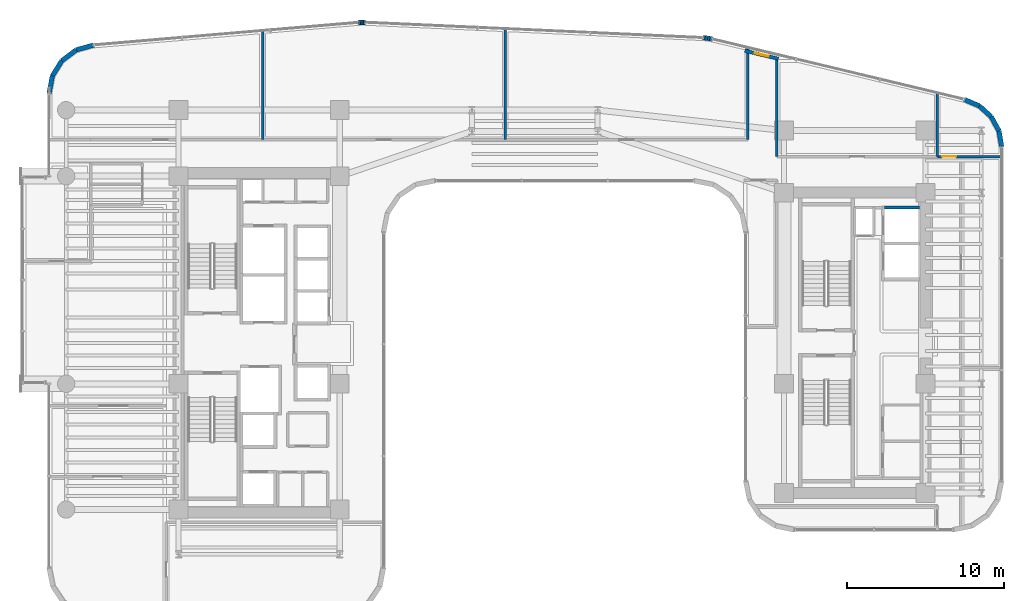
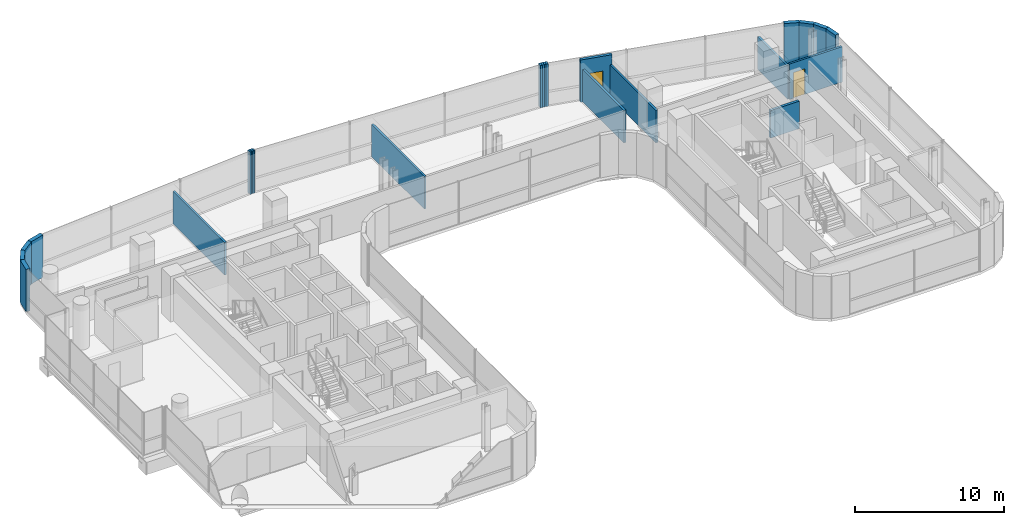
# One storey, part 29 of 34: 24 walls, 1 door, 1 window, 2 openings.
"""IFC4 building model written with IfcOpenShell, lengths in metres."""

from ifc_helpers import new_model, si_unit, direction, frame, frame_2d, origin, place, context, subcontext, project, spatial, rectangle, extrude, material, layer, layer_set, type_object, element, fill, save


model = new_model("IFC4")

# Units and contexts
model_context = context("Model", 3, precision=1e-05, world=origin(), true_north=direction((0.0, 1.0)))
body_context = subcontext(model_context, "Body", "Model", "MODEL_VIEW")
ifc_project = project(units=[si_unit("LENGTHUNIT", "METRE"), si_unit("AREAUNIT", "SQUARE_METRE"), si_unit("VOLUMEUNIT", "CUBIC_METRE"), si_unit("PLANEANGLEUNIT", "RADIAN"), si_unit("MASSUNIT", "GRAM", prefix="KILO")], contexts=[model_context])

# Site, building, storey
site_placement = place(None, origin())
site = spatial("IfcSite", under=ifc_project, at=site_placement, CompositionType="ELEMENT")
building_placement = place(site_placement, origin())
building = spatial("IfcBuilding", under=site, at=building_placement, Name="Valdorenza Pilgrim Sanctuary Tower", CompositionType="ELEMENT")
storey_placement = place(building_placement, frame((0.0, 0.0, 146.39990234375)))
storey = spatial("IfcBuildingStorey", under=building, at=storey_placement, Name="L37", CompositionType="ELEMENT", Elevation=146.39990234375)

# Walls
ifc_material_1 = material(Name="Acoustic twin-stud gypsum partition", Category="gypsum")
ifc_layer_1 = layer(ifc_material_1, 0.159912109375, Name="Acoustic twin-stud gypsum partition")
ifc_layer_set_1 = layer_set([ifc_layer_1], Name="Acoustic twin-stud gypsum partition")
wall_type_1 = type_object("IfcWallType", Name="WAL-COR-160", PredefinedType="PARTITIONING", material=ifc_layer_set_1)
wall_1_placement = place(storey_placement, frame((13.550048828125, 12.919921875, 0.0), z_axis=(0.0, 0.0, 1.0), x_axis=(0.0, 1.0, 0.0)))
element("IfcWall", 1, at=wall_1_placement, inside=storey, type_object=wall_type_1, Name="L37 North Band East Closure", PredefinedType="PARTITIONING", context=body_context, shape_type="SweptSolid", body=[
    extrude(rectangle(XDim=5.856689453125, YDim=0.159912109375, at=frame_2d((2.92822265625, 0.0))), origin(), (0.0, 0.0, 1.0), 2.666015625),
])
wall_2_placement = place(storey_placement, frame((15.39990234375, 11.85009765625, 0.0), z_axis=(0.0, 0.0, 1.0), x_axis=(0.0, 1.0, 0.0)))
element("IfcWall", 2, at=wall_2_placement, inside=storey, type_object=wall_type_1, Name="L37 Wing B North West Wall", PredefinedType="PARTITIONING", context=body_context, shape_type="SweptSolid", body=[
    extrude(rectangle(XDim=6.14990234375, YDim=0.159912109375, at=frame_2d((3.074951171875, 0.0))), origin(), (0.0, 0.0, 1.0), 2.666015625),
])
wall_3_placement = place(storey_placement, frame((25.60009765625, 11.85009765625, 0.0), z_axis=(0.0, 0.0, 1.0), x_axis=(0.0, 1.0, 0.0)))
element("IfcWall", 3, at=wall_3_placement, inside=storey, type_object=wall_type_1, Name="L37 Wing B North East Wall", PredefinedType="PARTITIONING", context=body_context, shape_type="SweptSolid", body=[
    extrude(rectangle(XDim=4.042236328125, YDim=0.159912109375, at=frame_2d((2.02099609375, 0.0))), origin(), (0.0, 0.0, 1.0), 2.666015625),
])

# Wall, opening, door
wall_4_placement = place(storey_placement, frame((25.60009765625, 11.85009765625, 0.0), z_axis=(0.0, 0.0, 1.0), x_axis=(1.0, 0.0, 0.0)))
wall_4 = element("IfcWall", 4, at=wall_4_placement, inside=storey, type_object=wall_type_1, Name="L37 East Wing NE Corner South Wall", PredefinedType="PARTITIONING", context=body_context, shape_type="SweptSolid", body=[
    extrude(rectangle(XDim=4.08984375, YDim=0.159912109375, at=frame_2d((2.044921875, 0.0))), origin(), (0.0, 0.0, 1.0), 2.89599609375),
])
opening_1_placement = place(wall_4_placement, frame((0.300048828125, 0.0, 0.0)))
opening_1 = element("IfcOpeningElement", 5, at=opening_1_placement, cuts=wall_4, Name="Opening DR-RM1", PredefinedType="OPENING", context=body_context, shape_type="SweptSolid", body=[
    extrude(rectangle(XDim=0.89990234375, YDim=2.10009765625, at=frame_2d((0.449951171875, 1.050048828125))), frame((0.0, 0.0947265625, 0.0), z_axis=(0.0, -1.0, 0.0), x_axis=(1.0, 0.0, 0.0)), (0.0, 0.0, 1.0), 0.189697265625),
])
ifc_material_2 = material(Name="Solid-core European oak timber", Category="wood")
door_type = type_object("IfcDoorType", Name="DR-ROOM-900", OperationType="NOTDEFINED", PredefinedType="DOOR", material=ifc_material_2)
door_placement = place(opening_1_placement, origin())
door = element("IfcDoor", 6, at=door_placement, inside=storey, type_object=door_type, Name="L37 East North Alcove Office L37 Door", OperationType="SINGLE_SWING_RIGHT", OverallHeight=2.10009765625, OverallWidth=0.89990234375, PredefinedType="DOOR", context=body_context, shape_type="SweptSolid", body=[
    extrude(rectangle(XDim=0.89990234375, YDim=2.10009765625, at=frame_2d((0.449951171875, 1.050048828125))), frame((0.0, 0.02490234375, 0.0), z_axis=(0.0, -1.0, 0.0), x_axis=(1.0, 0.0, 0.0)), (0.0, 0.0, 1.0), 0.050048828125),
])
fill(opening_1, door)

# Walls
ifc_material_3 = material(Name="Honed travertine limestone", Category="masonry")
ifc_layer_2 = layer(ifc_material_3, 0.300048828125, Name="Honed travertine limestone")
ifc_layer_set_2 = layer_set([ifc_layer_2], Name="Honed travertine limestone")
wall_type_2 = type_object("IfcWallType", Name="WAL-EXT-300", PredefinedType="SOLIDWALL", material=ifc_layer_set_2)
wall_5_placement = place(storey_placement, frame((-30.889892578125, 15.850341796875, 0.0), z_axis=(0.0, 0.0, 1.0), x_axis=(0.184557499391, 0.982821718023, 0.0)))
element("IfcWall", 7, at=wall_5_placement, inside=storey, type_object=wall_type_2, Name="L37 Rounded Wind-Corner Stone Pier 2", PredefinedType="SOLIDWALL", context=body_context, shape_type="SweptSolid", body=[
    extrude(rectangle(XDim=1.15087890625, YDim=0.300048828125, at=frame_2d((0.575439453125, 0.0))), origin(), (0.0, 0.0, 1.0), 3.460205078125),
])
wall_6_placement = place(storey_placement, frame((-30.677490234375, 16.9814453125, 0.0), z_axis=(0.0, 0.0, 1.0), x_axis=(0.52880576008, 0.848742875143, 0.0)))
element("IfcWall", 8, at=wall_6_placement, inside=storey, type_object=wall_type_2, Name="L37 Rounded Wind-Corner Stone Pier 3", PredefinedType="SOLIDWALL", context=body_context, shape_type="SweptSolid", body=[
    extrude(rectangle(XDim=1.140869140625, YDim=0.300048828125, at=frame_2d((0.5703125, 0.0))), origin(), (0.0, 0.0, 1.0), 3.460205078125),
])
wall_7_placement = place(storey_placement, frame((-30.07421875, 17.94970703125, 0.0), z_axis=(0.0, 0.0, 1.0), x_axis=(0.800975009324, 0.598697782223, 0.0)))
element("IfcWall", 9, at=wall_7_placement, inside=storey, type_object=wall_type_2, Name="L37 Rounded Wind-Corner Stone Pier 4", PredefinedType="SOLIDWALL", context=body_context, shape_type="SweptSolid", body=[
    extrude(rectangle(XDim=1.140625, YDim=0.300048828125, at=frame_2d((0.5703125, 0.0))), origin(), (0.0, 0.0, 1.0), 3.460205078125),
])
wall_8_placement = place(storey_placement, frame((-29.16064453125, 18.632568359375, 0.0), z_axis=(0.0, 0.0, 1.0), x_axis=(0.963624193367, 0.267260947313, 0.0)))
element("IfcWall", 10, at=wall_8_placement, inside=storey, type_object=wall_type_2, Name="L37 Rounded Wind-Corner Stone Pier 5", PredefinedType="SOLIDWALL", context=body_context, shape_type="SweptSolid", body=[
    extrude(rectangle(XDim=1.15087890625, YDim=0.300048828125, at=frame_2d((0.575439453125, 0.0))), origin(), (0.0, 0.0, 1.0), 3.460205078125),
])
wall_9_placement = place(storey_placement, frame((-11.199462890625, 20.37255859375, 0.0), z_axis=(0.0, 0.0, 1.0), x_axis=(0.997567332166, 0.069709524416, 0.0)))
element("IfcWall", 11, at=wall_9_placement, inside=storey, type_object=wall_type_2, Name="L37 Rounded Wind-Corner Stone Pier 7", PredefinedType="SOLIDWALL", context=body_context, shape_type="SweptSolid", body=[
    extrude(rectangle(XDim=0.1015625, YDim=0.300048828125, at=frame_2d((0.05078125, 0.0))), origin(), (0.0, 0.0, 1.0), 3.460205078125),
])
wall_10_placement = place(storey_placement, frame((-11.09814453125, 20.379638671875, 0.0), z_axis=(0.0, 0.0, 1.0), x_axis=(0.999334672785, 0.03647206835, 0.0)))
element("IfcWall", 12, at=wall_10_placement, inside=storey, type_object=wall_type_2, Name="L37 Rounded Wind-Corner Stone Pier 8", PredefinedType="SOLIDWALL", context=body_context, shape_type="SweptSolid", body=[
    extrude(rectangle(XDim=0.100341796875, YDim=0.300048828125, at=frame_2d((0.05029296875, 0.0))), origin(), (0.0, 0.0, 1.0), 3.460205078125),
])
wall_11_placement = place(storey_placement, frame((-10.997802734375, 20.38330078125, 0.0), z_axis=(0.0, 0.0, 1.0), x_axis=(0.999997054401, 0.002427177317, 0.0)))
element("IfcWall", 13, at=wall_11_placement, inside=storey, type_object=wall_type_2, Name="L37 Rounded Wind-Corner Stone Pier 9", PredefinedType="SOLIDWALL", context=body_context, shape_type="SweptSolid", body=[
    extrude(rectangle(XDim=0.1005859375, YDim=0.300048828125, at=frame_2d((0.05029296875, 0.0))), origin(), (0.0, 0.0, 1.0), 3.460205078125),
])
wall_12_placement = place(storey_placement, frame((-10.897216796875, 20.383544921875, 0.0), z_axis=(0.0, 0.0, 1.0), x_axis=(0.999584209171, -0.02883415988, 0.0)))
element("IfcWall", 14, at=wall_12_placement, inside=storey, type_object=wall_type_2, Name="L37 Rounded Wind-Corner Stone Pier 10", PredefinedType="SOLIDWALL", context=body_context, shape_type="SweptSolid", body=[
    extrude(rectangle(XDim=0.1015625, YDim=0.300048828125, at=frame_2d((0.05078125, 0.0))), origin(), (0.0, 0.0, 1.0), 3.460205078125),
])
wall_13_placement = place(storey_placement, frame((10.68994140625, 19.404052734375, 0.0), z_axis=(0.0, 0.0, 1.0), x_axis=(0.99758310784, -0.069483400546, 0.0)))
element("IfcWall", 15, at=wall_13_placement, inside=storey, type_object=wall_type_2, Name="L37 Rounded Wind-Corner Stone Pier 12", PredefinedType="SOLIDWALL", context=body_context, shape_type="SweptSolid", body=[
    extrude(rectangle(XDim=0.1474609375, YDim=0.300048828125, at=frame_2d((0.07373046875, 0.0))), origin(), (0.0, 0.0, 1.0), 3.460205078125),
])
for number, where, z_axis, x_axis, name in (
    (16, (10.837158203125, 19.393798828125, 0.0), (0.0, 0.0, 1.0), (0.993173334962, -0.116647874912, 0.0), "L37 Rounded Wind-Corner Stone Pier 13"),
    (17, (10.982666015625, 19.376708984375, 0.0), (0.0, 0.0, 1.0), (0.986573494681, -0.163317909592, 0.0), "L37 Rounded Wind-Corner Stone Pier 14"),
):
    element("IfcWall", number, at=place(storey_placement, frame(where, z_axis=z_axis, x_axis=x_axis)), inside=storey, type_object=wall_type_2, Name=name, PredefinedType="SOLIDWALL", context=body_context, shape_type="SweptSolid", body=[
        extrude(rectangle(XDim=0.146484375, YDim=0.300048828125, at=frame_2d((0.0732421875, 0.0))), origin(), (0.0, 0.0, 1.0), 3.460205078125),
    ])
wall_14_placement = place(storey_placement, frame((11.127197265625, 19.352783203125, 0.0), z_axis=(0.0, 0.0, 1.0), x_axis=(0.978019841688, -0.208511844421, 0.0)))
element("IfcWall", 18, at=wall_14_placement, inside=storey, type_object=wall_type_2, Name="L37 Rounded Wind-Corner Stone Pier 15", PredefinedType="SOLIDWALL", context=body_context, shape_type="SweptSolid", body=[
    extrude(rectangle(XDim=0.1474609375, YDim=0.300048828125, at=frame_2d((0.07373046875, 0.0))), origin(), (0.0, 0.0, 1.0), 3.460205078125),
])

# Wall, opening, window
wall_15_placement = place(storey_placement, frame((13.355224609375, 18.576416015625, 0.0), z_axis=(0.0, 0.0, 1.0), x_axis=(0.97252211384, -0.232810519721, 0.0)))
wall_15 = element("IfcWall", 19, at=wall_15_placement, inside=storey, type_object=wall_type_2, Name="L37 Operable Ventilation Sash Jamb Pier", PredefinedType="SOLIDWALL", context=body_context, shape_type="SweptSolid", body=[
    extrude(rectangle(XDim=2.2001953125, YDim=0.219970703125, at=frame_2d((1.10009765625, 0.0))), origin(), (0.0, 0.0, 1.0), 3.460205078125),
])
opening_2_placement = place(wall_15_placement, frame((0.64990234375, 0.0, 0.949951171875)))
opening_2 = element("IfcOpeningElement", 20, at=opening_2_placement, cuts=wall_15, Name="Opening WN-OP1", PredefinedType="OPENING", context=body_context, shape_type="SweptSolid", body=[
    extrude(rectangle(XDim=0.89990234375, YDim=1.300048828125, at=frame_2d((0.449951171875, 0.64990234375))), frame((0.0, 0.125, 0.0), z_axis=(0.0, -1.0, 0.0), x_axis=(1.0, 0.0, 0.0)), (0.0, 0.0, 1.0), 0.249755859375),
])
ifc_material_4 = material(Name="Ceramic-fritted low-E IGU glazing", Category="glass")
window_type = type_object("IfcWindowType", Name="WIN-OPN-900", PartitioningType="SINGLE_PANEL", PredefinedType="WINDOW", material=ifc_material_4)
window_placement = place(opening_2_placement, origin())
window = element("IfcWindow", 21, at=window_placement, inside=storey, type_object=window_type, Name="L37 Parallel-Pop-Out Operable Facade Panel", OverallHeight=1.300048828125, OverallWidth=0.89990234375, PartitioningType="SINGLE_PANEL", PredefinedType="WINDOW", context=body_context, shape_type="SweptSolid", body=[
    extrude(rectangle(XDim=0.89990234375, YDim=1.300048828125, at=frame_2d((0.449951171875, 0.64990234375))), frame((0.0, 0.030029296875, 0.0), z_axis=(0.0, -1.0, 0.0), x_axis=(1.0, 0.0, 0.0)), (0.0, 0.0, 1.0), 0.06005859375),
])
fill(opening_2, window)

# Walls
wall_16_placement = place(storey_placement, frame((27.310302734375, 15.48291015625, 0.0), z_axis=(0.0, 0.0, 1.0), x_axis=(0.920250328759, -0.391330208927, 0.0)))
element("IfcWall", 22, at=wall_16_placement, inside=storey, type_object=wall_type_2, Name="L37 Rounded Wind-Corner Stone Pier 17", PredefinedType="SOLIDWALL", context=body_context, shape_type="SweptSolid", body=[
    extrude(rectangle(XDim=1.0361328125, YDim=0.300048828125, at=frame_2d((0.51806640625, 0.0))), origin(), (0.0, 0.0, 1.0), 3.460205078125),
])
wall_17_placement = place(storey_placement, frame((28.263916015625, 15.077392578125, 0.0), z_axis=(0.0, 0.0, 1.0), x_axis=(0.741208839713, -0.671274501178, 0.0)))
element("IfcWall", 23, at=wall_17_placement, inside=storey, type_object=wall_type_2, Name="L37 Rounded Wind-Corner Stone Pier 18", PredefinedType="SOLIDWALL", context=body_context, shape_type="SweptSolid", body=[
    extrude(rectangle(XDim=1.0263671875, YDim=0.300048828125, at=frame_2d((0.51318359375, 0.0))), origin(), (0.0, 0.0, 1.0), 3.460205078125),
])
wall_18_placement = place(storey_placement, frame((29.024658203125, 14.388427734375, 0.0), z_axis=(0.0, 0.0, 1.0), x_axis=(0.480284137298, -0.87711296163, 0.0)))
element("IfcWall", 24, at=wall_18_placement, inside=storey, type_object=wall_type_2, Name="L37 Rounded Wind-Corner Stone Pier 19", PredefinedType="SOLIDWALL", context=body_context, shape_type="SweptSolid", body=[
    extrude(rectangle(XDim=1.02685546875, YDim=0.300048828125, at=frame_2d((0.513427734375, 0.0))), origin(), (0.0, 0.0, 1.0), 3.460205078125),
])
wall_19_placement = place(storey_placement, frame((29.517822265625, 13.48779296875, 0.0), z_axis=(0.0, 0.0, 1.0), x_axis=(0.166156796952, -0.986099345313, 0.0)))
element("IfcWall", 25, at=wall_19_placement, inside=storey, type_object=wall_type_2, Name="L37 Rounded Wind-Corner Stone Pier 20", PredefinedType="SOLIDWALL", context=body_context, shape_type="SweptSolid", body=[
    extrude(rectangle(XDim=1.035888671875, YDim=0.300048828125, at=frame_2d((0.51806640625, 0.0))), origin(), (0.0, 0.0, 1.0), 3.460205078125),
])
ifc_material_5 = material(Name="Autoclaved aerated concrete blockwork", Category="masonry")
ifc_layer_3 = layer(ifc_material_5, 0.199951171875, Name="Autoclaved aerated concrete blockwork")
ifc_layer_set_3 = layer_set([ifc_layer_3], Name="Autoclaved aerated concrete blockwork")
wall_type_3 = type_object("IfcWallType", Name="WAL-SHF-200", PredefinedType="MOVABLE", material=ifc_layer_set_3)
wall_20_placement = place(storey_placement, frame((22.25, 8.60009765625, 0.0), z_axis=(0.0, 0.0, 1.0), x_axis=(1.0, 0.0, 0.0)))
element("IfcWall", 26, at=wall_20_placement, inside=storey, type_object=wall_type_3, Name="L37 Lift PL-08 Hoistway Wall North", PredefinedType="MOVABLE", context=body_context, shape_type="SweptSolid", body=[
    extrude(rectangle(XDim=2.22998046875, YDim=0.199951171875, at=frame_2d((1.114990234375, 0.0))), origin(), (0.0, 0.0, 1.0), 2.2451171875),
])
ifc_layer_4 = layer(ifc_material_1, 0.14990234375, Name="Acoustic twin-stud gypsum partition")
ifc_layer_set_4 = layer_set([ifc_layer_4], Name="Acoustic twin-stud gypsum partition")
wall_type_4 = type_object("IfcWallType", Name="WAL-UNT-150", PredefinedType="PARTITIONING", material=ifc_layer_set_4)
wall_21_placement = place(storey_placement, frame((-17.31005859375, 12.919921875, 0.0), z_axis=(0.0, 0.0, 1.0), x_axis=(0.0, 1.0, 0.0)))
element("IfcWall", 27, at=wall_21_placement, inside=storey, type_object=wall_type_4, Name="L37 Private Banquet Dining Room L37-N2 Demising Wall", PredefinedType="PARTITIONING", context=body_context, shape_type="SweptSolid", body=[
    extrude(rectangle(XDim=6.933349609375, YDim=0.14990234375, at=frame_2d((3.466796875, 0.0))), origin(), (0.0, 0.0, 1.0), 2.666015625),
])
wall_22_placement = place(storey_placement, frame((-1.8798828125, 12.919921875, 0.0), z_axis=(0.0, 0.0, 1.0), x_axis=(0.0, 1.0, 0.0)))
element("IfcWall", 28, at=wall_22_placement, inside=storey, type_object=wall_type_4, Name="L37 Private Banquet Dining Room L37-N3 Demising Wall", PredefinedType="PARTITIONING", context=body_context, shape_type="SweptSolid", body=[
    extrude(rectangle(XDim=7.055419921875, YDim=0.14990234375, at=frame_2d((3.52783203125, 0.0))), origin(), (0.0, 0.0, 1.0), 2.666015625),
])

save(model, "model.ifc")
